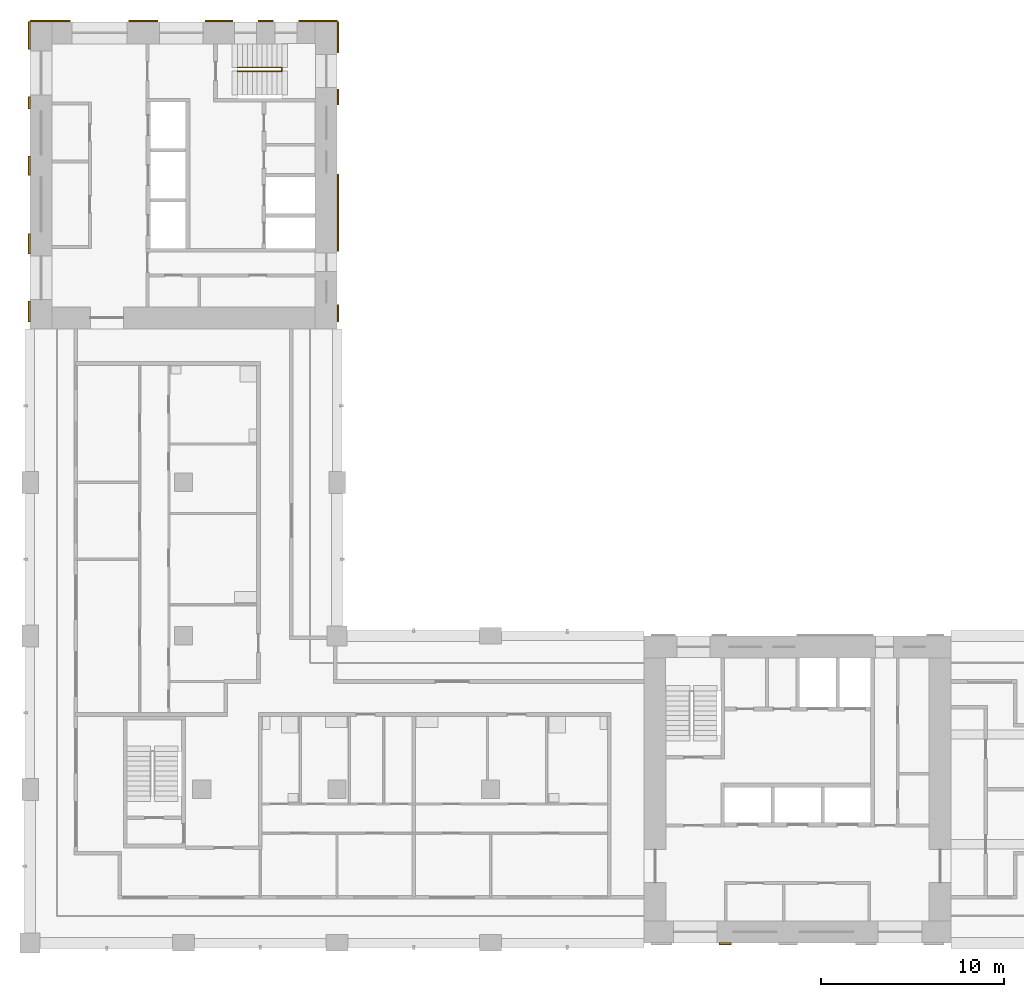
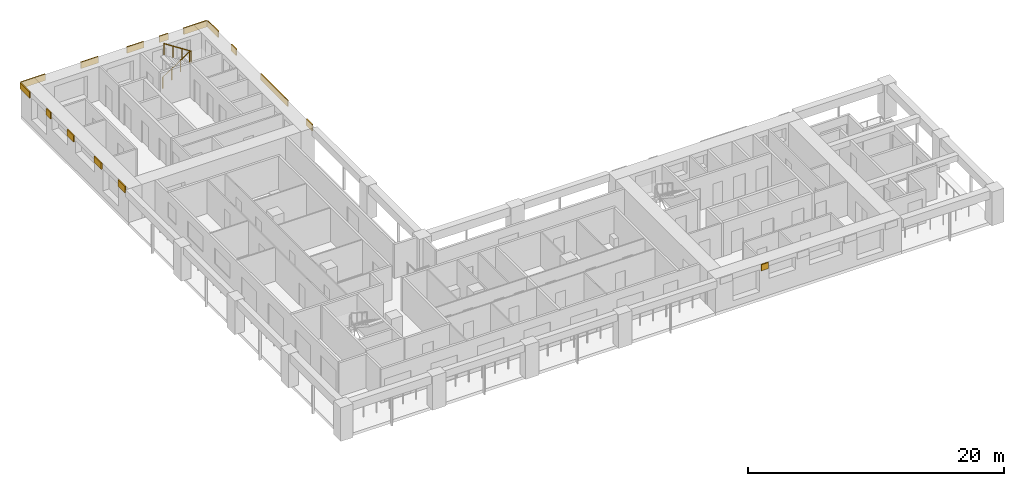
# One storey, part 10 of 11: 15 shading devices, 1 railing.
"""IFC4 building model written with IfcOpenShell, lengths in metres."""

from ifc_helpers import new_model, si_unit, direction, frame, origin, origin_2d, place, context, subcontext, project, spatial, rectangle, circle, extrude, material, layer, layer_set, type_object, element, save


model = new_model("IFC4")

# Units and contexts
model_context = context("Model", 3, precision=1e-05, world=origin(), true_north=direction((0.0, 1.0)))
body_context = subcontext(model_context, "Body", "Model", "MODEL_VIEW")
ifc_project = project(units=[si_unit("LENGTHUNIT", "METRE"), si_unit("AREAUNIT", "SQUARE_METRE"), si_unit("VOLUMEUNIT", "CUBIC_METRE"), si_unit("PLANEANGLEUNIT", "RADIAN"), si_unit("MASSUNIT", "GRAM", prefix="KILO")], contexts=[model_context])

# Site, building, storey
site_placement = place(None, origin())
site = spatial("IfcSite", under=ifc_project, at=site_placement, CompositionType="ELEMENT")
building_placement = place(site_placement, origin())
building = spatial("IfcBuilding", under=site, at=building_placement, Name="Vermilion Gate Residences", CompositionType="ELEMENT")
storey_placement = place(building_placement, frame((0.0, 0.0, 200.199951171875)))
storey = spatial("IfcBuildingStorey", under=building, at=storey_placement, Name="L52", CompositionType="ELEMENT", Elevation=200.199951171875)

# Railing
ifc_material_1 = material(Name="Steel S355", Category="steel")
railing_type = type_object("IfcRailingType", Name="STAIR GUARD 1100 STEEL", PredefinedType="GUARDRAIL", material=ifc_material_1)
railing_placement = place(storey_placement, frame((19.75, 56.300048828125, 0.175048828125)))
element("IfcRailing", 1, at=railing_placement, inside=storey, type_object=railing_type, Name="Stair well guard STB1-52", PredefinedType="GUARDRAIL", context=body_context, shape_type="SweptSolid", body=[
    extrude(circle(Radius=0.02392578125, at=origin_2d()), frame((0.0, 0.0, 1.076171875), z_axis=(0.839153699163, 0.0, 0.543894354798), x_axis=(0.0, 1.0, 0.0)), (0.0, 0.0, 1.0), 2.895751953125),
    extrude(circle(Radius=0.02392578125, at=origin_2d()), frame((2.429931640625, 0.0, 2.65087890625), z_axis=(0.0, -0.752405939678, 0.658699705433), x_axis=(1.0, 0.0, 0.0)), (0.0, 0.0, 1.0), 0.265869140625),
    extrude(circle(Radius=0.02392578125, at=origin_2d()), frame((2.429931640625, -0.199951171875, 2.826171875), z_axis=(-0.839153699163, 0.0, 0.543894354798), x_axis=(0.0, -1.0, 0.0)), (0.0, 0.0, 1.0), 2.895751953125),
    extrude(circle(Radius=0.02099609375, at=origin_2d()), origin(), (0.0, 0.0, 1.0), 1.052001953125),
    extrude(circle(Radius=0.02099609375, at=origin_2d()), frame((0.81005859375, 0.0, 0.52490234375)), (0.0, 0.0, 1.0), 1.052001953125),
    extrude(circle(Radius=0.02099609375, at=origin_2d()), frame((1.619873046875, 0.0, 1.050048828125)), (0.0, 0.0, 1.0), 1.052001953125),
    extrude(circle(Radius=0.02099609375, at=origin_2d()), frame((2.429931640625, 0.0, 1.574951171875)), (0.0, 0.0, 1.0), 1.052001953125),
    extrude(circle(Radius=0.02099609375, at=origin_2d()), frame((2.429931640625, -0.199951171875, 1.75)), (0.0, 0.0, 1.0), 1.052001953125),
    extrude(circle(Radius=0.02099609375, at=origin_2d()), frame((1.619873046875, -0.199951171875, 2.27490234375)), (0.0, 0.0, 1.0), 1.052001953125),
    extrude(circle(Radius=0.02099609375, at=origin_2d()), frame((0.81005859375, -0.199951171875, 2.800048828125)), (0.0, 0.0, 1.0), 1.052001953125),
    extrude(circle(Radius=0.02099609375, at=origin_2d()), frame((0.0, -0.199951171875, 3.324951171875)), (0.0, 0.0, 1.0), 1.052001953125),
])

# Shading devices
ifc_material_2 = material(Name="Extruded terracotta", Category="masonry")
ifc_layer = layer(ifc_material_2, 0.10009765625)
ifc_layer_set = layer_set([ifc_layer], Name="TERRACOTTA SPANDREL BAND 600 X 100")
shading_device_type = type_object("IfcShadingDeviceType", Name="TERRACOTTA SPANDREL BAND 600 X 100", PredefinedType="USERDEFINED", material=ifc_layer_set)
shading_device_1_placement = place(storey_placement, frame((46.429931640625, 8.35009765625, 2.6201171875), z_axis=(0.0, 0.0, 1.0), x_axis=(1.0, 0.0, 0.0)))
element("IfcShadingDevice", 2, at=shading_device_1_placement, inside=storey, type_object=shading_device_type, Name="SPANDREL BAND", ObjectType="BAND", PredefinedType="USERDEFINED", context=body_context, shape_type="SweptSolid", body=[
    extrude(rectangle(XDim=0.659912109375, YDim=0.10009765625, at=origin_2d()), origin(), (0.0, 0.0, 1.0), 0.60009765625),
])
shading_device_2_placement = place(storey_placement, frame((9.50244140625, 58.85009765625, 2.6201171875), z_axis=(0.0, 0.0, 1.0), x_axis=(1.0, 0.0, 0.0)))
element("IfcShadingDevice", 3, at=shading_device_2_placement, inside=storey, type_object=shading_device_type, Name="SPANDREL BAND", ObjectType="BAND", PredefinedType="USERDEFINED", context=body_context, shape_type="SweptSolid", body=[
    extrude(rectangle(XDim=2.205078125, YDim=0.10009765625, at=origin_2d()), origin(), (0.0, 0.0, 1.0), 0.60009765625),
])
shading_device_3_placement = place(storey_placement, frame((14.590087890625, 58.85009765625, 2.6201171875), z_axis=(0.0, 0.0, 1.0), x_axis=(1.0, 0.0, 0.0)))
element("IfcShadingDevice", 4, at=shading_device_3_placement, inside=storey, type_object=shading_device_type, Name="SPANDREL BAND", ObjectType="BAND", PredefinedType="USERDEFINED", context=body_context, shape_type="SweptSolid", body=[
    extrude(rectangle(XDim=1.570068359375, YDim=0.10009765625, at=origin_2d()), origin(), (0.0, 0.0, 1.0), 0.60009765625),
])
shading_device_4_placement = place(storey_placement, frame((18.734130859375, 58.85009765625, 2.6201171875), z_axis=(0.0, 0.0, 1.0), x_axis=(1.0, 0.0, 0.0)))
element("IfcShadingDevice", 5, at=shading_device_4_placement, inside=storey, type_object=shading_device_type, Name="SPANDREL BAND", ObjectType="BAND", PredefinedType="USERDEFINED", context=body_context, shape_type="SweptSolid", body=[
    extrude(rectangle(XDim=1.518310546875, YDim=0.10009765625, at=origin_2d()), origin(), (0.0, 0.0, 1.0), 0.60009765625),
])
shading_device_5_placement = place(storey_placement, frame((21.294921875, 58.85009765625, 2.6201171875), z_axis=(0.0, 0.0, 1.0), x_axis=(1.0, 0.0, 0.0)))
element("IfcShadingDevice", 6, at=shading_device_5_placement, inside=storey, type_object=shading_device_type, Name="SPANDREL BAND", ObjectType="BAND", PredefinedType="USERDEFINED", context=body_context, shape_type="SweptSolid", body=[
    extrude(rectangle(XDim=0.803466796875, YDim=0.10009765625, at=origin_2d()), origin(), (0.0, 0.0, 1.0), 0.60009765625),
])
shading_device_6_placement = place(storey_placement, frame((24.1484375, 58.85009765625, 2.6201171875), z_axis=(0.0, 0.0, 1.0), x_axis=(1.0, 0.0, 0.0)))
element("IfcShadingDevice", 7, at=shading_device_6_placement, inside=storey, type_object=shading_device_type, Name="SPANDREL BAND", ObjectType="BAND", PredefinedType="USERDEFINED", context=body_context, shape_type="SweptSolid", body=[
    extrude(rectangle(XDim=2.103271484375, YDim=0.10009765625, at=origin_2d()), origin(), (0.0, 0.0, 1.0), 0.60009765625),
])
shading_device_7_placement = place(storey_placement, frame((8.35009765625, 42.949951171875, 2.6201171875), z_axis=(0.0, 0.0, 1.0), x_axis=(0.0, 1.0, 0.0)))
element("IfcShadingDevice", 8, at=shading_device_7_placement, inside=storey, type_object=shading_device_type, Name="SPANDREL BAND", ObjectType="BAND", PredefinedType="USERDEFINED", context=body_context, shape_type="SweptSolid", body=[
    extrude(rectangle(XDim=1.10009765625, YDim=0.10009765625, at=origin_2d()), origin(), (0.0, 0.0, 1.0), 0.60009765625),
])
shading_device_8_placement = place(storey_placement, frame((8.35009765625, 46.657470703125, 2.6201171875), z_axis=(0.0, 0.0, 1.0), x_axis=(0.0, 1.0, 0.0)))
element("IfcShadingDevice", 9, at=shading_device_8_placement, inside=storey, type_object=shading_device_type, Name="SPANDREL BAND", ObjectType="BAND", PredefinedType="USERDEFINED", context=body_context, shape_type="SweptSolid", body=[
    extrude(rectangle(XDim=1.114990234375, YDim=0.10009765625, at=origin_2d()), origin(), (0.0, 0.0, 1.0), 0.60009765625),
])
shading_device_9_placement = place(storey_placement, frame((8.35009765625, 50.927490234375, 2.6201171875), z_axis=(0.0, 0.0, 1.0), x_axis=(0.0, 1.0, 0.0)))
element("IfcShadingDevice", 10, at=shading_device_9_placement, inside=storey, type_object=shading_device_type, Name="SPANDREL BAND", ObjectType="BAND", PredefinedType="USERDEFINED", context=body_context, shape_type="SweptSolid", body=[
    extrude(rectangle(XDim=1.02490234375, YDim=0.10009765625, at=origin_2d()), origin(), (0.0, 0.0, 1.0), 0.60009765625),
])
shading_device_10_placement = place(storey_placement, frame((8.35009765625, 54.3701171875, 2.6201171875), z_axis=(0.0, 0.0, 1.0), x_axis=(0.0, 1.0, 0.0)))
element("IfcShadingDevice", 11, at=shading_device_10_placement, inside=storey, type_object=shading_device_type, Name="SPANDREL BAND", ObjectType="BAND", PredefinedType="USERDEFINED", context=body_context, shape_type="SweptSolid", body=[
    extrude(rectangle(XDim=0.659912109375, YDim=0.10009765625, at=origin_2d()), origin(), (0.0, 0.0, 1.0), 0.60009765625),
])
shading_device_11_placement = place(storey_placement, frame((8.35009765625, 58.050048828125, 2.6201171875), z_axis=(0.0, 0.0, 1.0), x_axis=(0.0, 1.0, 0.0)))
element("IfcShadingDevice", 12, at=shading_device_11_placement, inside=storey, type_object=shading_device_type, Name="SPANDREL BAND", ObjectType="BAND", PredefinedType="USERDEFINED", context=body_context, shape_type="SweptSolid", body=[
    extrude(rectangle(XDim=1.5, YDim=0.10009765625, at=origin_2d()), origin(), (0.0, 0.0, 1.0), 0.60009765625),
])
shading_device_12_placement = place(storey_placement, frame((25.25, 42.862548828125, 2.6201171875), z_axis=(0.0, 0.0, 1.0), x_axis=(0.0, 1.0, 0.0)))
element("IfcShadingDevice", 13, at=shading_device_12_placement, inside=storey, type_object=shading_device_type, Name="SPANDREL BAND", ObjectType="BAND", PredefinedType="USERDEFINED", context=body_context, shape_type="SweptSolid", body=[
    extrude(rectangle(XDim=0.925048828125, YDim=0.10009765625, at=origin_2d()), origin(), (0.0, 0.0, 1.0), 0.60009765625),
])
shading_device_13_placement = place(storey_placement, frame((25.25, 48.35009765625, 2.6201171875), z_axis=(0.0, 0.0, 1.0), x_axis=(0.0, 1.0, 0.0)))
element("IfcShadingDevice", 14, at=shading_device_13_placement, inside=storey, type_object=shading_device_type, Name="SPANDREL BAND", ObjectType="BAND", PredefinedType="USERDEFINED", context=body_context, shape_type="SweptSolid", body=[
    extrude(rectangle(XDim=4.199951171875, YDim=0.10009765625, at=origin_2d()), origin(), (0.0, 0.0, 1.0), 0.60009765625),
])
shading_device_14_placement = place(storey_placement, frame((25.25, 54.6875, 2.6201171875), z_axis=(0.0, 0.0, 1.0), x_axis=(0.0, 1.0, 0.0)))
element("IfcShadingDevice", 15, at=shading_device_14_placement, inside=storey, type_object=shading_device_type, Name="SPANDREL BAND", ObjectType="BAND", PredefinedType="USERDEFINED", context=body_context, shape_type="SweptSolid", body=[
    extrude(rectangle(XDim=0.824951171875, YDim=0.10009765625, at=origin_2d()), origin(), (0.0, 0.0, 1.0), 0.60009765625),
])
shading_device_15_placement = place(storey_placement, frame((25.25, 57.949951171875, 2.6201171875), z_axis=(0.0, 0.0, 1.0), x_axis=(0.0, 1.0, 0.0)))
element("IfcShadingDevice", 16, at=shading_device_15_placement, inside=storey, type_object=shading_device_type, Name="SPANDREL BAND", ObjectType="BAND", PredefinedType="USERDEFINED", context=body_context, shape_type="SweptSolid", body=[
    extrude(rectangle(XDim=1.699951171875, YDim=0.10009765625, at=origin_2d()), origin(), (0.0, 0.0, 1.0), 0.60009765625),
])

save(model, "model.ifc")
